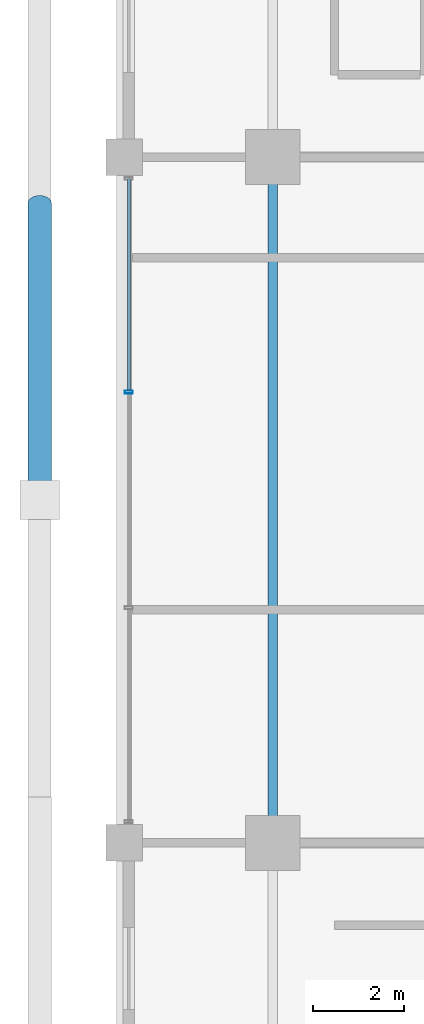
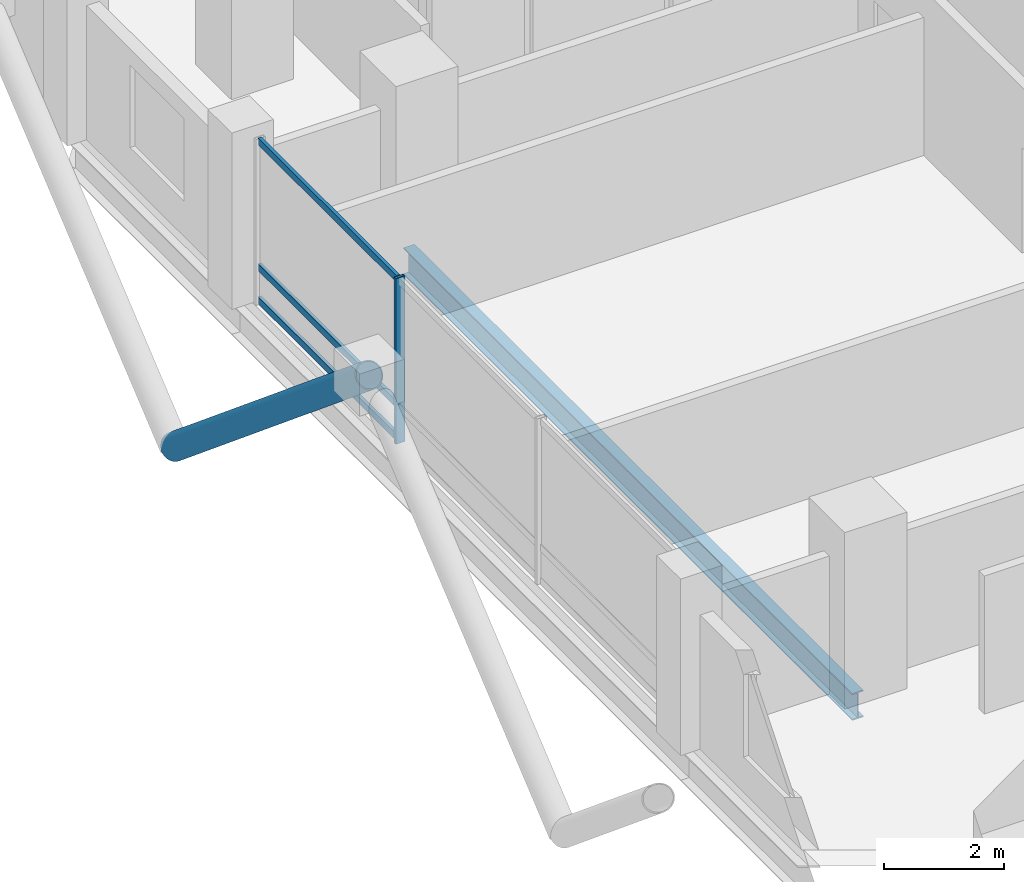
# One storey, part 6 of 22: 5 members, 1 beam, 1 element without a shape of its own.
"""IFC4 building model written with IfcOpenShell, lengths in metres."""

from ifc_helpers import new_model, si_unit, direction, frame, origin, origin_2d, place, context, subcontext, project, spatial, hollow_rectangle, hollow_circle, i_section, extrude, material, layer, layer_set, material_profile, profile_set, type_object, element, aggregate, save


model = new_model("IFC4")

# Units and contexts
model_context = context("Model", 3, precision=1e-05, world=origin(), true_north=direction((0.0, 1.0)))
body_context = subcontext(model_context, "Body", "Model", "MODEL_VIEW")
ifc_project = project(units=[si_unit("LENGTHUNIT", "METRE"), si_unit("AREAUNIT", "SQUARE_METRE"), si_unit("VOLUMEUNIT", "CUBIC_METRE"), si_unit("PLANEANGLEUNIT", "RADIAN"), si_unit("MASSUNIT", "GRAM", prefix="KILO")], contexts=[model_context])

# Site, building, storey
site_placement = place(None, origin())
site = spatial("IfcSite", under=ifc_project, at=site_placement, CompositionType="ELEMENT")
building_placement = place(site_placement, origin())
building = spatial("IfcBuilding", under=site, at=building_placement, Name="Barlavira Tower and Art Museum", CompositionType="ELEMENT")
storey_placement = place(building_placement, frame((0.0, 0.0, 106.199951171875)))
storey = spatial("IfcBuildingStorey", under=building, at=storey_placement, Name="L26", CompositionType="ELEMENT", Elevation=106.199951171875)

# Curtain wall, members
ifc_material_1 = material(Name="Low-iron coastal laminated glass", Category="glass")
ifc_layer = layer(ifc_material_1, 0.18994140625, Name="Low-iron coastal laminated glass")
ifc_layer_set = layer_set([ifc_layer], Name="Low-iron coastal laminated glass")
curtain_wall_type = type_object("IfcCurtainWallType", Name="Pale-Metal Unitised Curtain Wall Zone 2", PredefinedType="NOTDEFINED", material=ifc_layer_set)
curtain_wall_placement = place(storey_placement, origin())
curtain_wall = element("IfcCurtainWall", 1, at=curtain_wall_placement, inside=storey, type_object=curtain_wall_type, Name="L26 Curtain Wall CW2-L26-W-B3", PredefinedType="NOTDEFINED")
ifc_material_2 = material(Name="Pale anodised aluminium", Category="aluminium")
ifc_material_profile_1 = material_profile(ifc_material_2, hollow_rectangle(XDim=0.06494140625, YDim=0.179931640625, WallThickness=0.00390625, at=origin_2d()), Name="ALU-MULL 65x180x4")
ifc_profile_set_1 = profile_set([ifc_material_profile_1], Name="Pale anodised aluminium")
member_type_1 = type_object("IfcMemberType", Name="Curtain Wall Pale-Metal Mullion 65x180", PredefinedType="MULLION", material=ifc_profile_set_1)
member_1_placement = place(storey_placement, frame((-20.14990234375, 2.360107421875, 0.0), z_axis=(0.0, 0.0, 1.0), x_axis=(0.0, -1.0, 0.0)))
member_1 = element("IfcMember", 2, at=member_1_placement, type_object=member_type_1, Name="CW2-L26-W-B3 Mullion 1", PredefinedType="MULLION", context=body_context, shape_type="SweptSolid", body=[
    extrude(hollow_rectangle(XDim=0.06494140625, YDim=0.179931640625, WallThickness=0.00390625, at=origin_2d()), origin(), (0.0, 0.0, 1.0), 3.380126953125),
])
ifc_material_profile_2 = material_profile(ifc_material_2, hollow_rectangle(XDim=0.06494140625, YDim=0.139892578125, WallThickness=0.00390625, at=origin_2d()), Name="ALU-TRAN 65x140x4")
ifc_profile_set_2 = profile_set([ifc_material_profile_2], Name="Pale anodised aluminium")
member_type_2 = type_object("IfcMemberType", Name="Curtain Wall Pale-Metal Transom 65x140", PredefinedType="USERDEFINED", material=ifc_profile_set_2)
member_2_placement = place(storey_placement, frame((-20.14990234375, 7.034912109375, 0.070068359375), z_axis=(0.0, -1.0, 0.0), x_axis=(1.0, 0.0, 0.0)))
member_2 = element("IfcMember", 3, at=member_2_placement, type_object=member_type_2, Name="CW2-L26-W-B3 Transom 0.1", ObjectType="TRANSOM", PredefinedType="USERDEFINED", context=body_context, shape_type="SweptSolid", body=[
    extrude(hollow_rectangle(XDim=0.06494140625, YDim=0.139892578125, WallThickness=0.00390625, at=origin_2d()), origin(), (0.0, 0.0, 1.0), 4.6298828125),
])
member_3_placement = place(storey_placement, frame((-20.14990234375, 7.034912109375, 0.744140625), z_axis=(0.0, -1.0, 0.0), x_axis=(1.0, 0.0, 0.0)))
member_3 = element("IfcMember", 4, at=member_3_placement, type_object=member_type_2, Name="CW2-L26-W-B3 Transom 0.2", ObjectType="TRANSOM", PredefinedType="USERDEFINED", context=body_context, shape_type="SweptSolid", body=[
    extrude(hollow_rectangle(XDim=0.06494140625, YDim=0.139892578125, WallThickness=0.00390625, at=origin_2d()), origin(), (0.0, 0.0, 1.0), 4.6298828125),
])
member_4_placement = place(storey_placement, frame((-20.14990234375, 7.034912109375, 3.31005859375), z_axis=(0.0, -1.0, 0.0), x_axis=(1.0, 0.0, 0.0)))
member_4 = element("IfcMember", 5, at=member_4_placement, type_object=member_type_2, Name="CW2-L26-W-B3 Transom 0.3", ObjectType="TRANSOM", PredefinedType="USERDEFINED", context=body_context, shape_type="SweptSolid", body=[
    extrude(hollow_rectangle(XDim=0.06494140625, YDim=0.139892578125, WallThickness=0.00390625, at=origin_2d()), origin(), (0.0, 0.0, 1.0), 4.6298828125),
])
aggregate(curtain_wall, [member_1, member_2, member_3, member_4])

# Member
ifc_material_3 = material(Name="Steel S355", Category="steel")
ifc_material_profile_3 = material_profile(ifc_material_3, hollow_circle(Radius=0.25390625, WallThickness=0.022216796875, at=origin_2d()), Name="CHS 508.0x22.2")
ifc_profile_set_3 = profile_set([ifc_material_profile_3], Name="Steel S355")
member_type_3 = type_object("IfcMemberType", Name="Pale-Metal Exoskeleton Diagrid Tube CHS 508x22 Steel S355", PredefinedType="BRACE", material=ifc_profile_set_3)
member_5_placement = place(storey_placement, frame((-22.10009765625, 6.5, -1.919921875), z_axis=(0.0, -0.769196053329, 0.639012857104), x_axis=(1.0, 0.0, 0.0)))
element("IfcMember", 6, at=member_5_placement, inside=storey, type_object=member_type_3, Name="L26 Exoskeleton Diagrid Tube W", PredefinedType="BRACE", context=body_context, shape_type="SweptSolid", body=[
    extrude(hollow_circle(Radius=0.25390625, WallThickness=0.022216796875, at=origin_2d()), origin(), (0.0, 0.0, 1.0), 8.450439453125),
])

# Beam
ifc_material_profile_4 = material_profile(ifc_material_3, i_section(OverallWidth=0.214111328125, OverallDepth=0.549072265625, WebThickness=0.0146484375, FlangeThickness=0.023681640625, at=origin_2d()), Name="W530x138.0")
ifc_profile_set_4 = profile_set([ifc_material_profile_4], Name="Steel S355")
beam_type = type_object("IfcBeamType", Name="Zone 1 Primary Floor Girder W530x138 Steel S355", PredefinedType="BEAM", material=ifc_profile_set_4)
beam_placement = place(storey_placement, frame((-17.0, -7.5, -0.494384765625), z_axis=(0.0, 1.0, 0.0), x_axis=(-1.0, 0.0, 0.0)))
element("IfcBeam", 7, at=beam_placement, inside=storey, type_object=beam_type, Name="L26 Girder M-W2", PredefinedType="BEAM", context=body_context, shape_type="SweptSolid", body=[
    extrude(i_section(OverallWidth=0.214111328125, OverallDepth=0.549072265625, WebThickness=0.0146484375, FlangeThickness=0.023681640625, at=origin_2d()), origin(), (0.0, 0.0, 1.0), 15.0),
])

save(model, "model.ifc")
